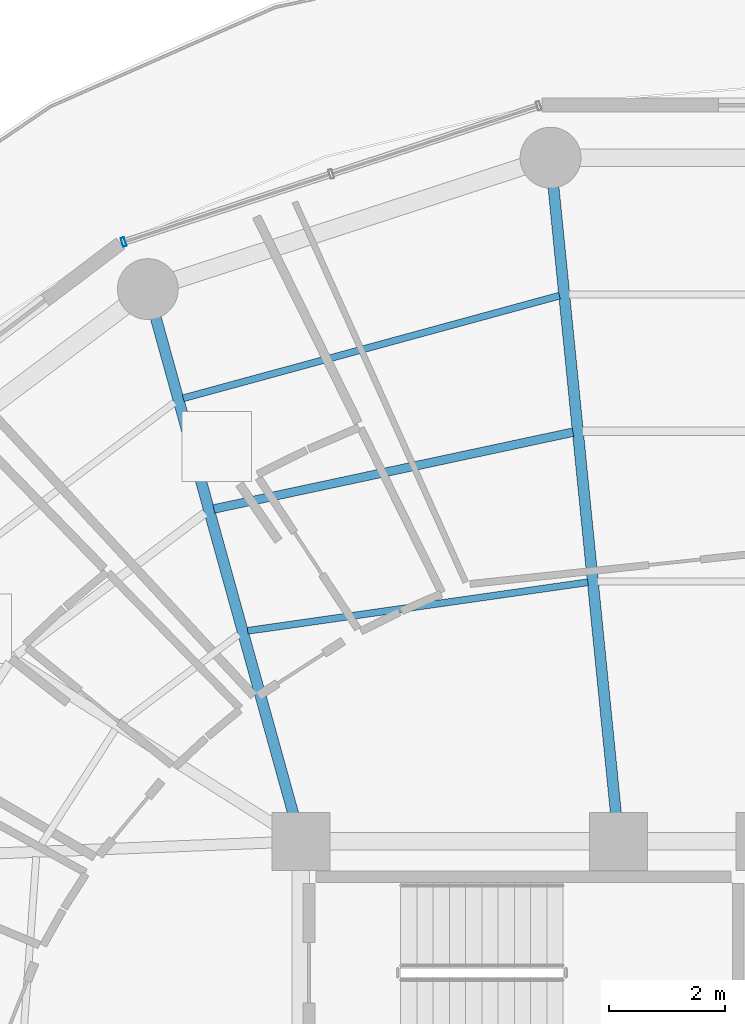
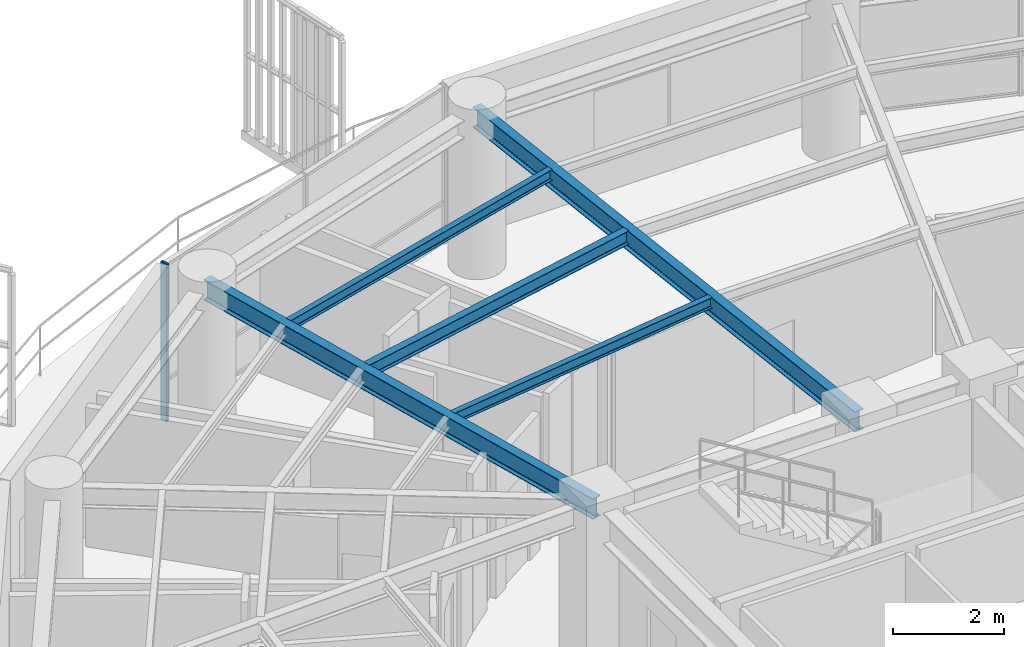
# One storey, part 18 of 31: 5 beams, 1 member, 1 element without a shape of its own.
"""IFC4 building model written with IfcOpenShell, lengths in metres."""

import ifcopenshell
import ifcopenshell.guid

model = None  # the IFC model being written
_history = None  # IfcOwnerHistory: only IFC2X3 demands one
_inside = {}  # id of a spatial element -> (the spatial element, [elements in it])
_under = {}  # id of a project, library or spatial element -> (it, [spatial elements below it])
_declared = {}  # id of a project -> (the project, [libraries it declares])
_typed = {}  # id of a type object -> (the type object, [elements of that type])
_made_of = {}  # id of a material, layer set ... -> (it, [elements and type objects made of it])


def new_model(schema):
    """Start an empty IFC model of exactly this schema.

    Asked for "IFC4X3", IfcOpenShell would pick the latest addendum, in which some entities
    have other attributes; the version numbers below select the first issue.
    IFC2X3 requires an IfcOwnerHistory on every rooted entity: one is made here for all.
    """
    global model, _history
    if schema == "IFC4X3":
        model = ifcopenshell.file(schema_version=(4, 3, 0, 0))
    else:
        model = ifcopenshell.file(schema=schema)
    _inside.clear()
    _under.clear()
    _declared.clear()
    _typed.clear()
    _made_of.clear()
    _history = None
    if model.schema == "IFC2X3":
        org = make("IfcOrganization", Name="unknown")
        user = make(
            "IfcPersonAndOrganization",
            ThePerson=make("IfcPerson", FamilyName="unknown"),
            TheOrganization=org,
        )
        app = make(
            "IfcApplication",
            ApplicationDeveloper=org,
            Version="unknown",
            ApplicationFullName="unknown",
            ApplicationIdentifier="unknown",
        )
        _history = make(
            "IfcOwnerHistory",
            OwningUser=user,
            OwningApplication=app,
            ChangeAction="ADDED",
            CreationDate=0,
        )
    return model


def make(cls, **values):
    """One entity of the class cls with the attributes given. An attribute that is None is left unset."""
    return model.create_entity(
        cls, **{name: value for name, value in values.items() if value is not None}
    )


def rooted(cls, **values):
    """An entity with a GlobalId (a new one), such as an element, a storey or a relation."""
    return make(cls, GlobalId=ifcopenshell.guid.new(), OwnerHistory=_history, **values)


def si_unit(unit_type, name, prefix=None):
    """IfcSIUnit, for example si_unit("LENGTHUNIT", "METRE", prefix="MILLI")."""
    return make("IfcSIUnit", UnitType=unit_type, Prefix=prefix, Name=name)


def assignment(units):
    """IfcUnitAssignment: the units of a project."""
    return None if units is None else make("IfcUnitAssignment", Units=units)


def point(xyz):
    """IfcCartesianPoint."""
    return None if xyz is None else make("IfcCartesianPoint", Coordinates=xyz)


def direction(xyz):
    """IfcDirection."""
    return None if xyz is None else make("IfcDirection", DirectionRatios=xyz)


def frame(location, z_axis=None, x_axis=None):
    """IfcAxis2Placement3D, a coordinate frame: its origin and axes. An axis left out is left unset."""
    return make(
        "IfcAxis2Placement3D",
        Location=point(location),
        Axis=direction(z_axis),
        RefDirection=direction(x_axis),
    )


def frame_2d(location, x_axis=None):
    """IfcAxis2Placement2D, a coordinate frame in the plane: its origin and x axis."""
    return make(
        "IfcAxis2Placement2D", Location=point(location), RefDirection=direction(x_axis)
    )


def origin():
    """The frame at (0, 0, 0) with its axes left unset."""
    return frame((0.0, 0.0, 0.0))


def origin_2d():
    """The frame at (0, 0) in the plane with its x axis left unset."""
    return frame_2d((0.0, 0.0))


def place(relative_to, where):
    """IfcLocalPlacement: puts the frame where relative to a parent placement (None: the world)."""
    return make(
        "IfcLocalPlacement", PlacementRelTo=relative_to, RelativePlacement=where
    )


def context(
    kind, dimensions, precision=None, world=None, true_north=None, identifier=None
):
    """IfcGeometricRepresentationContext, for example the 3D "Model" context."""
    return make(
        "IfcGeometricRepresentationContext",
        ContextIdentifier=identifier,
        ContextType=kind,
        CoordinateSpaceDimension=dimensions,
        Precision=precision,
        WorldCoordinateSystem=world,
        TrueNorth=true_north,
    )


def subcontext(parent, identifier, kind, view, scale=None):
    """IfcGeometricRepresentationSubContext, for example "Body" below "Model"."""
    return make(
        "IfcGeometricRepresentationSubContext",
        ContextIdentifier=identifier,
        ContextType=kind,
        ParentContext=parent,
        TargetScale=scale,
        TargetView=view,
    )


def project(units=None, contexts=None):
    """IfcProject with its units and contexts."""
    return rooted(
        "IfcProject",
        Name="project",
        RepresentationContexts=contexts,
        UnitsInContext=assignment(units),
    )


def spatial(cls, under=None, at=None, **own):
    """A site, building, storey or space (cls), placed at a placement, below another one or the project."""
    s = rooted(cls, ObjectPlacement=at, **own)
    if under is not None:
        _under.setdefault(under.id(), (under, []))[1].append(s)
    return s


def profile(cls, at=None, kind="AREA", **sizes):
    """A parametric profile (cls). Its sizes go by their IFC names, for example OverallWidth=200.0."""
    return make(cls, ProfileType=kind, Position=at, **sizes)


def hollow_rectangle(**sizes):
    """IfcRectangleHollowProfileDef."""
    return profile("IfcRectangleHollowProfileDef", **sizes)


def i_section(**sizes):
    """IfcIShapeProfileDef."""
    return profile("IfcIShapeProfileDef", **sizes)


def extrude(swept, where, along, depth):
    """IfcExtrudedAreaSolid: the profile swept, set in the frame where, extruded along a direction by depth."""
    return make(
        "IfcExtrudedAreaSolid",
        SweptArea=swept,
        Position=where,
        ExtrudedDirection=direction(along),
        Depth=depth,
    )


def shape(context_of_items, identifier, shape_type, items):
    """IfcShapeRepresentation: the items that make up one representation, for example the "Body"."""
    return make(
        "IfcShapeRepresentation",
        ContextOfItems=context_of_items,
        RepresentationIdentifier=identifier,
        RepresentationType=shape_type,
        Items=items,
    )


def material(Name=None, Category=None):
    """IfcMaterial."""
    return make("IfcMaterial", Name=Name, Category=Category)


def layer(
    of_material, thickness, ventilated=None, Name=None, Category=None, Priority=None
):
    """IfcMaterialLayer: one layer of a wall or slab, of a material (None: an air gap)."""
    return make(
        "IfcMaterialLayer",
        Material=of_material,
        LayerThickness=thickness,
        IsVentilated=ventilated,
        Name=Name,
        Category=Category,
        Priority=Priority,
    )


def layer_set(layers, Name=None):
    """IfcMaterialLayerSet."""
    return make("IfcMaterialLayerSet", MaterialLayers=layers, LayerSetName=Name)


def material_profile(
    of_material, cross_section, Name=None, Category=None, Priority=None
):
    """IfcMaterialProfile: a cross section and its material."""
    return make(
        "IfcMaterialProfile",
        Name=Name,
        Material=of_material,
        Profile=cross_section,
        Priority=Priority,
        Category=Category,
    )


def profile_set(profiles, Name=None, composite=None):
    """IfcMaterialProfileSet."""
    return make(
        "IfcMaterialProfileSet",
        Name=Name,
        MaterialProfiles=profiles,
        CompositeProfile=composite,
    )


def made_of(thing, what):
    """Note that an element or type object is made of a material, layer set ...; save() writes the relation."""
    if what is not None:
        _made_of.setdefault(what.id(), (what, []))[1].append(thing)
    return thing


def type_object(cls, material=None, **own):
    """A type object (cls), such as IfcWallType, which elements share."""
    return made_of(rooted(cls, **own), material)


def element(
    cls,
    number,
    at=None,
    inside=None,
    cuts=None,
    type_object=None,
    material=None,
    context=None,
    identifier="Body",
    shape_type=None,
    held_by="IfcProductDefinitionShape",
    body=None,
    shapes=None,
    **own,
):
    """One element of the class cls, such as IfcWall. Its Tag is "e" and its number.

    at: its placement. inside: the storey or other place that contains it. cuts: it is an
    opening in that element (IfcRelVoidsElement). A single representation is given by context,
    identifier, shape_type and body (its items); several are given by shapes. held_by: the class
    of the entity that holds the representations. save() writes the other relations.
    """
    e = rooted(cls, Tag="e%d" % number, ObjectPlacement=at, **own)
    if body is not None:
        shapes = [shape(context, identifier, shape_type, body)]
    if shapes is not None:
        e.Representation = make(held_by, Representations=shapes)
    if inside is not None:
        _inside.setdefault(inside.id(), (inside, []))[1].append(e)
    if cuts is not None:
        rooted(
            "IfcRelVoidsElement", RelatingBuildingElement=cuts, RelatedOpeningElement=e
        )
    if type_object is not None:
        _typed.setdefault(type_object.id(), (type_object, []))[1].append(e)
    return made_of(e, material)


def aggregate(whole, parts):
    """IfcRelAggregates: a whole, such as a stair, and the parts it consists of."""
    return rooted("IfcRelAggregates", RelatingObject=whole, RelatedObjects=parts)


def save(model, path):
    """Write the relations noted so far, then the file.

    IfcRelAggregates (storeys below a building ...), IfcRelContainedInSpatialStructure (elements
    in a storey), IfcRelDefinesByType, IfcRelAssociatesMaterial and IfcRelDeclares: one each for
    every whole, place, type object, material and project.
    """
    for whole, parts in _under.values():
        aggregate(whole, parts)
    for where, things in _inside.values():
        rooted(
            "IfcRelContainedInSpatialStructure",
            RelatedElements=things,
            RelatingStructure=where,
        )
    for kind, things in _typed.values():
        rooted("IfcRelDefinesByType", RelatedObjects=things, RelatingType=kind)
    for what, things in _made_of.values():
        rooted("IfcRelAssociatesMaterial", RelatedObjects=things, RelatingMaterial=what)
    for by, libraries in _declared.values():
        rooted("IfcRelDeclares", RelatingContext=by, RelatedDefinitions=libraries)
    model.write(path)


model = new_model("IFC4")

# Units and contexts
model_context = context("Model", 3, precision=1e-05, world=origin(), true_north=direction((0.0, 1.0)))
body_context = subcontext(model_context, "Body", "Model", "MODEL_VIEW")
ifc_project = project(units=[si_unit("LENGTHUNIT", "METRE"), si_unit("AREAUNIT", "SQUARE_METRE"), si_unit("VOLUMEUNIT", "CUBIC_METRE"), si_unit("PLANEANGLEUNIT", "RADIAN"), si_unit("MASSUNIT", "GRAM", prefix="KILO")], contexts=[model_context])

# Site, building, storey
site_placement = place(None, origin())
site = spatial("IfcSite", under=ifc_project, at=site_placement, CompositionType="ELEMENT")
building_placement = place(site_placement, origin())
building = spatial("IfcBuilding", under=site, at=building_placement, Name="Kelanora Arch Commons", CompositionType="ELEMENT")
storey_placement = place(building_placement, frame((0.0, 0.0, 226.949951171875)))
storey = spatial("IfcBuildingStorey", under=building, at=storey_placement, Name="L58", CompositionType="ELEMENT", Elevation=226.949951171875)

# Beams
ifc_material_1 = material(Name="Steel S355", Category="steel")
ifc_material_profile_1 = material_profile(ifc_material_1, i_section(OverallWidth=0.14990234375, OverallDepth=0.300048828125, WebThickness=0.007080078125, FlangeThickness=0.0107421875, FilletRadius=0.014892578125, at=origin_2d()), Name="IPE300")
ifc_profile_set_1 = profile_set([ifc_material_profile_1], Name="Steel S355")
beam_type_1 = type_object("IfcBeamType", Name="BM-JST-01", PredefinedType="JOIST", material=ifc_profile_set_1)
beam_1_placement = place(storey_placement, frame((70.69189453125, 72.056396484375, 3.340087890625), z_axis=(-0.977893715981, -0.209102559153, 0.0), x_axis=(0.209102559153, -0.977893715981, 0.0)))
element("IfcBeam", 1, at=beam_1_placement, inside=storey, type_object=beam_type_1, Name="Secondary Chord Joist BJB-10 L58", PredefinedType="JOIST", context=body_context, shape_type="SweptSolid", body=[
    extrude(i_section(OverallWidth=0.14990234375, OverallDepth=0.300048828125, WebThickness=0.007080078125, FlangeThickness=0.0107421875, FilletRadius=0.014892578125, at=origin_2d()), origin(), (0.0, 0.0, 1.0), 6.332763671875),
])
ifc_material_profile_2 = material_profile(ifc_material_1, i_section(OverallWidth=0.1201171875, OverallDepth=0.239990234375, WebThickness=0.006103515625, FlangeThickness=0.009765625, FilletRadius=0.014892578125, at=origin_2d()), Name="IPE240")
ifc_profile_set_2 = profile_set([ifc_material_profile_2], Name="Steel S355")
beam_type_2 = type_object("IfcBeamType", Name="BM-JST-02", PredefinedType="JOIST", material=ifc_profile_set_2)
beam_2_placement = place(storey_placement, frame((70.94921875, 69.46826171875, 3.3701171875), z_axis=(-0.989977480435, -0.141225310164, 0.0), x_axis=(0.141225310164, -0.989977480435, 0.0)))
element("IfcBeam", 2, at=beam_2_placement, inside=storey, type_object=beam_type_2, Name="Secondary Chord Joist BJA-10 L58", PredefinedType="JOIST", context=body_context, shape_type="SweptSolid", body=[
    extrude(i_section(OverallWidth=0.1201171875, OverallDepth=0.239990234375, WebThickness=0.006103515625, FlangeThickness=0.009765625, FilletRadius=0.014892578125, at=origin_2d()), origin(), (0.0, 0.0, 1.0), 5.927734375),
])
beam_3_placement = place(storey_placement, frame((70.457763671875, 74.40966796875, 3.3701171875), z_axis=(-0.964804863594, -0.262966870889, 0.0), x_axis=(0.262966870889, -0.964804863594, 0.0)))
element("IfcBeam", 3, at=beam_3_placement, inside=storey, type_object=beam_type_2, Name="Secondary Chord Joist BJC-10 L58", PredefinedType="JOIST", context=body_context, shape_type="SweptSolid", body=[
    extrude(i_section(OverallWidth=0.1201171875, OverallDepth=0.239990234375, WebThickness=0.006103515625, FlangeThickness=0.009765625, FilletRadius=0.014892578125, at=origin_2d()), origin(), (0.0, 0.0, 1.0), 6.724365234375),
])
ifc_material_profile_3 = material_profile(ifc_material_1, i_section(OverallWidth=0.18994140625, OverallDepth=0.449951171875, WebThickness=0.009521484375, FlangeThickness=0.0146484375, FilletRadius=0.02099609375, at=origin_2d()), Name="IPE450")
ifc_profile_set_3 = profile_set([ifc_material_profile_3], Name="Steel S355")
beam_type_3 = type_object("IfcBeamType", Name="BM-RAD-Z4", PredefinedType="BEAM", material=ifc_profile_set_3)
beam_4_placement = place(storey_placement, frame((71.47998046875, 65.0, 3.26513671875), z_axis=(-0.099193615558, 0.995068151753, 0.0), x_axis=(-0.995068151753, -0.099193615558, 0.0)))
element("IfcBeam", 4, at=beam_4_placement, inside=storey, type_object=beam_type_3, Name="Radial Floor Girder BR-10 L58", PredefinedType="BEAM", context=body_context, shape_type="SweptSolid", body=[
    extrude(i_section(OverallWidth=0.18994140625, OverallDepth=0.449951171875, WebThickness=0.009521484375, FlangeThickness=0.0146484375, FilletRadius=0.02099609375, at=origin_2d()), origin(), (0.0, 0.0, 1.0), 11.848388671875),
])
beam_5_placement = place(storey_placement, frame((66.0, 65.0, 3.26513671875), z_axis=(-0.267120164296, 0.963663228429, 0.0), x_axis=(-0.963663228429, -0.267120164296, 0.0)))
element("IfcBeam", 5, at=beam_5_placement, inside=storey, type_object=beam_type_3, Name="Radial Floor Girder BR-12 L58", PredefinedType="BEAM", context=body_context, shape_type="SweptSolid", body=[
    extrude(i_section(OverallWidth=0.18994140625, OverallDepth=0.449951171875, WebThickness=0.009521484375, FlangeThickness=0.0146484375, FilletRadius=0.02099609375, at=origin_2d()), origin(), (0.0, 0.0, 1.0), 9.8828125),
])

# Curtain wall, member
ifc_material_2 = material(Name="Terracotta ceramic-fritted low-E glass and aluminium", Category="masonry")
ifc_layer = layer(ifc_material_2, 0.175048828125)
ifc_layer_set = layer_set([ifc_layer], Name="Terracotta ceramic-fritted low-E glass and aluminium")
curtain_wall_type = type_object("IfcCurtainWallType", Name="CW-SYS-02", PredefinedType="NOTDEFINED", material=ifc_layer_set)
curtain_wall_placement = place(storey_placement, origin())
curtain_wall = element("IfcCurtainWall", 6, at=curtain_wall_placement, inside=storey, type_object=curtain_wall_type, Name="Unitised Curtain Wall L58-B05", PredefinedType="NOTDEFINED")
ifc_material_3 = material(Name="Powder-coated aluminium terracotta", Category="masonry")
ifc_material_profile_4 = material_profile(ifc_material_3, hollow_rectangle(XDim=0.159912109375, YDim=0.06005859375, WallThickness=0.0048828125, InnerFilletRadius=0.0048828125, OuterFilletRadius=0.010009765625, at=origin_2d()), Name="CWM160x60")
ifc_profile_set_4 = profile_set([ifc_material_profile_4], Name="Powder-coated aluminium terracotta")
member_type = type_object("IfcMemberType", Name="CWM-STD", PredefinedType="MULLION", material=ifc_profile_set_4)
member_placement = place(storey_placement, frame((62.94287109375, 75.33447265625, 0.0), z_axis=(0.0, 0.0, 1.0), x_axis=(0.311582439059, -0.950219124029, 0.0)))
member = element("IfcMember", 7, at=member_placement, type_object=member_type, Name="CW-02 mullion 3", PredefinedType="MULLION", context=body_context, shape_type="SweptSolid", body=[
    extrude(hollow_rectangle(XDim=0.159912109375, YDim=0.06005859375, WallThickness=0.0048828125, InnerFilletRadius=0.0048828125, OuterFilletRadius=0.010009765625, at=origin_2d()), origin(), (0.0, 0.0, 1.0), 3.47509765625),
])
aggregate(curtain_wall, [member])

save(model, "model.ifc")
